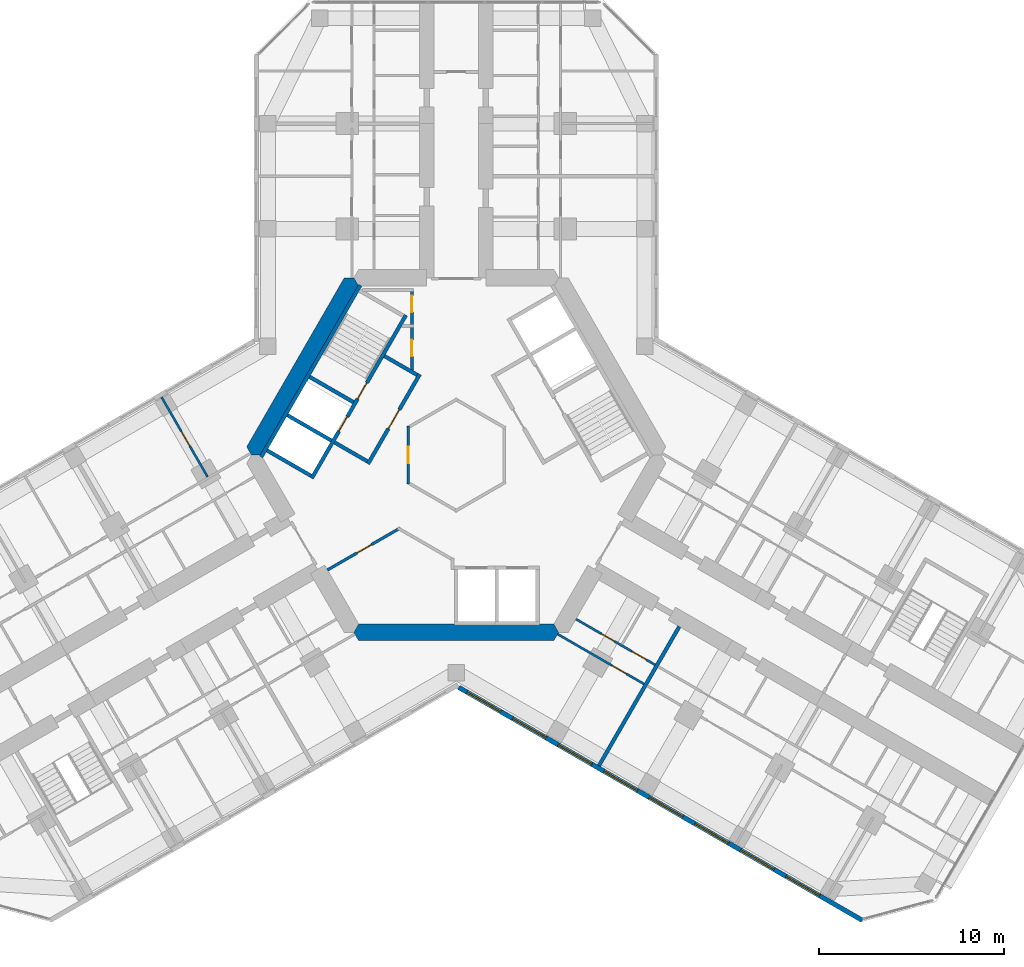
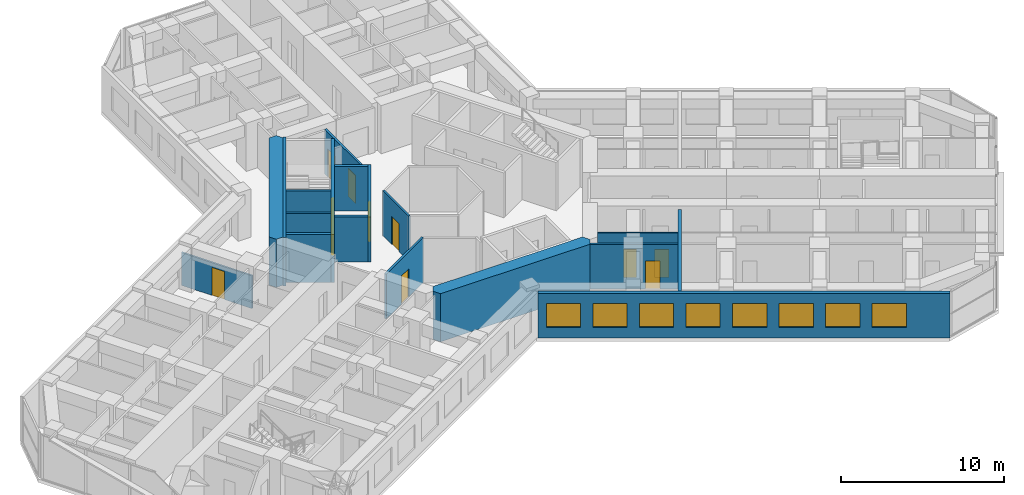
# One storey, part 13 of 19: 18 walls, 11 doors, 8 windows, 19 openings.
"""IFC4 building model written with IfcOpenShell, lengths in metres."""

from ifc_helpers import new_model, si_unit, direction, frame, frame_2d, origin, place, context, subcontext, project, spatial, polyline, rectangle, outline, extrude, material, layer, layer_set, type_object, element, fill, save


model = new_model("IFC4")

# Units and contexts
model_context = context("Model", 3, precision=1e-05, world=origin(), true_north=direction((0.0, 1.0)))
body_context = subcontext(model_context, "Body", "Model", "MODEL_VIEW")
ifc_project = project(units=[si_unit("LENGTHUNIT", "METRE"), si_unit("AREAUNIT", "SQUARE_METRE"), si_unit("VOLUMEUNIT", "CUBIC_METRE"), si_unit("PLANEANGLEUNIT", "RADIAN"), si_unit("MASSUNIT", "GRAM", prefix="KILO")], contexts=[model_context])

# Site, building, storey
site_placement = place(None, origin())
site = spatial("IfcSite", under=ifc_project, at=site_placement, CompositionType="ELEMENT")
building_placement = place(site_placement, origin())
building = spatial("IfcBuilding", under=site, at=building_placement, Name="Kosmar Iwan School Tower", CompositionType="ELEMENT")
storey_placement = place(building_placement, frame((0.0, 0.0, 141.800048828125)))
storey = spatial("IfcBuildingStorey", under=building, at=storey_placement, Name="L35", CompositionType="ELEMENT", Elevation=141.800048828125)

# Wall, openings, doors
ifc_material_1 = material(Name="Gypsum board on steel studs, fire-rated", Category="steel")
ifc_layer_1 = layer(ifc_material_1, 0.14990234375)
ifc_layer_set_1 = layer_set([ifc_layer_1], Name="Core room partition 150")
wall_type_1 = type_object("IfcWallType", Name="Core room partition 150", PredefinedType="PARTITIONING", material=ifc_layer_set_1)
wall_1_placement = place(storey_placement, frame((-2.39990234375, 9.014892578125, 0.0), z_axis=(0.0, 0.0, 1.0), x_axis=(0.0, -1.0, 0.0)))
wall_1 = element("IfcWall", 1, at=wall_1_placement, inside=storey, type_object=wall_type_1, Name="Core room partition L35-CW1", PredefinedType="PARTITIONING", context=body_context, shape_type="SweptSolid", body=[
    extrude(rectangle(XDim=4.484130859375, YDim=0.14990234375, at=frame_2d((2.2421875, 0.0))), origin(), (0.0, 0.0, 1.0), 3.349853515625),
])
opening_1_placement = place(wall_1_placement, frame((0.375, 0.0, 0.0)))
opening_1 = element("IfcOpeningElement", 2, at=opening_1_placement, cuts=wall_1, Name="Opening D14", PredefinedType="OPENING", context=body_context, shape_type="SweptSolid", body=[
    extrude(rectangle(XDim=0.89990234375, YDim=2.10009765625, at=frame_2d((0.449951171875, 1.050048828125))), frame((0.0, 0.0869140625, 0.0), z_axis=(0.0, -1.0, 0.0), x_axis=(1.0, 0.0, 0.0)), (0.0, 0.0, 1.0), 0.173828125),
])
opening_2_placement = place(wall_1_placement, frame((2.77490234375, 0.0, 0.0)))
opening_2 = element("IfcOpeningElement", 3, at=opening_2_placement, cuts=wall_1, Name="Opening D14", PredefinedType="OPENING", context=body_context, shape_type="SweptSolid", body=[
    extrude(rectangle(XDim=0.89990234375, YDim=2.10009765625, at=frame_2d((0.449951171875, 1.050048828125))), frame((0.0, 0.0869140625, 0.0), z_axis=(0.0, -1.0, 0.0), x_axis=(1.0, 0.0, 0.0)), (0.0, 0.0, 1.0), 0.173828125),
])
ifc_material_2 = material(Name="Timber fire door in steel frame", Category="steel")
door_type_1 = type_object("IfcDoorType", Name="Core room door 900x2100", OperationType="SINGLE_SWING_LEFT", PredefinedType="DOOR", material=ifc_material_2)
door_1_placement = place(opening_1_placement, origin())
door_1 = element("IfcDoor", 4, at=door_1_placement, inside=storey, type_object=door_type_1, Name="Electrical riser and switch room door L35 1", OperationType="SINGLE_SWING_LEFT", OverallHeight=2.10009765625, OverallWidth=0.89990234375, PredefinedType="DOOR", context=body_context, shape_type="SweptSolid", body=[
    extrude(rectangle(XDim=0.89990234375, YDim=2.10009765625, at=frame_2d((0.449951171875, 1.050048828125))), frame((0.0, 0.02490234375, 0.0), z_axis=(0.0, -1.0, 0.0), x_axis=(1.0, 0.0, 0.0)), (0.0, 0.0, 1.0), 0.050048828125),
])
fill(opening_1, door_1)
door_2_placement = place(opening_2_placement, origin())
door_2 = element("IfcDoor", 5, at=door_2_placement, inside=storey, type_object=door_type_1, Name="Plumbing and wet riser door L35 2", OperationType="SINGLE_SWING_RIGHT", OverallHeight=2.10009765625, OverallWidth=0.89990234375, PredefinedType="DOOR", context=body_context, shape_type="SweptSolid", body=[
    extrude(rectangle(XDim=0.89990234375, YDim=2.10009765625, at=frame_2d((0.449951171875, 1.050048828125))), frame((0.0, 0.02490234375, 0.0), z_axis=(0.0, -1.0, 0.0), x_axis=(1.0, 0.0, 0.0)), (0.0, 0.0, 1.0), 0.050048828125),
])
fill(opening_2, door_2)

# Wall, opening, door
wall_2_placement = place(storey_placement, frame((-6.978515625, -6.222900390625, 0.0), z_axis=(0.0, 0.0, 1.0), x_axis=(0.866033797781, 0.49998546089, 0.0)))
wall_2 = element("IfcWall", 6, at=wall_2_placement, inside=storey, type_object=wall_type_1, Name="Core room partition L35-CW5", PredefinedType="PARTITIONING", context=body_context, shape_type="SweptSolid", body=[
    extrude(rectangle(XDim=4.553466796875, YDim=0.14990234375, at=frame_2d((2.27685546875, 0.0))), origin(), (0.0, 0.0, 1.0), 3.349853515625),
])
opening_3_placement = place(wall_2_placement, frame((1.846923828125, 0.0, 0.0)))
opening_3 = element("IfcOpeningElement", 7, at=opening_3_placement, cuts=wall_2, Name="Opening D14", PredefinedType="OPENING", context=body_context, shape_type="SweptSolid", body=[
    extrude(rectangle(XDim=0.89990234375, YDim=2.10009765625, at=frame_2d((0.449951171875, 1.050048828125))), frame((0.0, 0.0869140625, 0.0), z_axis=(0.0, -1.0, 0.0), x_axis=(1.0, 0.0, 0.0)), (0.0, 0.0, 1.0), 0.173828125),
])
door_3_placement = place(opening_3_placement, origin())
door_3 = element("IfcDoor", 8, at=door_3_placement, inside=storey, type_object=door_type_1, Name="Bulky waste store door L35 3", OperationType="SINGLE_SWING_LEFT", OverallHeight=2.10009765625, OverallWidth=0.89990234375, PredefinedType="DOOR", context=body_context, shape_type="SweptSolid", body=[
    extrude(rectangle(XDim=0.89990234375, YDim=2.10009765625, at=frame_2d((0.449951171875, 1.050048828125))), frame((0.0, 0.02490234375, 0.0), z_axis=(0.0, -1.0, 0.0), x_axis=(1.0, 0.0, 0.0)), (0.0, 0.0, 1.0), 0.050048828125),
])
fill(opening_3, door_3)

wall_3_placement = place(storey_placement, frame((-2.60009765625, -1.576171875, 0.0), z_axis=(0.0, 0.0, 1.0), x_axis=(0.0, 1.0, 0.0)))
wall_3 = element("IfcWall", 9, at=wall_3_placement, inside=storey, type_object=wall_type_1, Name="Core room partition L35-CW10", PredefinedType="PARTITIONING", context=body_context, shape_type="SweptSolid", body=[
    extrude(rectangle(XDim=3.15234375, YDim=0.14990234375, at=frame_2d((1.576171875, 0.0))), origin(), (0.0, 0.0, 1.0), 3.349853515625),
])
opening_4_placement = place(wall_3_placement, frame((1.1259765625, 0.0, 0.0)))
opening_4 = element("IfcOpeningElement", 10, at=opening_4_placement, cuts=wall_3, Name="Opening D14", PredefinedType="OPENING", context=body_context, shape_type="SweptSolid", body=[
    extrude(rectangle(XDim=0.89990234375, YDim=2.10009765625, at=frame_2d((0.449951171875, 1.050048828125))), frame((0.0, 0.0869140625, 0.0), z_axis=(0.0, -1.0, 0.0), x_axis=(1.0, 0.0, 0.0)), (0.0, 0.0, 1.0), 0.173828125),
])
door_4_placement = place(opening_4_placement, origin())
door_4 = element("IfcDoor", 11, at=door_4_placement, inside=storey, type_object=door_type_1, Name="Parcel room door L35 4", OperationType="SINGLE_SWING_RIGHT", OverallHeight=2.10009765625, OverallWidth=0.89990234375, PredefinedType="DOOR", context=body_context, shape_type="SweptSolid", body=[
    extrude(rectangle(XDim=0.89990234375, YDim=2.10009765625, at=frame_2d((0.449951171875, 1.050048828125))), frame((0.0, 0.02490234375, 0.0), z_axis=(0.0, -1.0, 0.0), x_axis=(1.0, 0.0, 0.0)), (0.0, 0.0, 1.0), 0.050048828125),
])
fill(opening_4, door_4)

# Walls
ifc_material_3 = material(Name="Concrete C50/60", Category="concrete")
ifc_layer_2 = layer(ifc_material_3, 0.89990234375)
ifc_layer_set_2 = layer_set([ifc_layer_2], Name="Core wall 900")
wall_type_2 = type_object("IfcWallType", Name="Core wall 900", PredefinedType="SHEAR", material=ifc_layer_set_2)
wall_4_placement = place(storey_placement, origin())
element("IfcWall", 12, at=wall_4_placement, inside=storey, type_object=wall_type_2, Name="Core wall F150", PredefinedType="SHEAR", context=body_context, shape_type="SweptSolid", body=[
    extrude(outline(polyline([(-11.085205078125, 0.0), (-10.5654296875, 0.0), (-5.28271484375, 9.14990234375), (-5.54248046875, 9.60009765625), (-6.062255859375, 9.60009765625), (-11.344970703125, 0.449951171875), (-11.085205078125, 0.0)])), origin(), (0.0, 0.0, 1.0), 3.599853515625),
])
wall_5_placement = place(storey_placement, origin())
element("IfcWall", 13, at=wall_5_placement, inside=storey, type_object=wall_type_2, Name="Core wall F270", PredefinedType="SHEAR", context=body_context, shape_type="SweptSolid", body=[
    extrude(outline(polyline([(-5.28271484375, -10.050048828125), (5.28271484375, -10.050048828125), (5.54248046875, -9.60009765625), (5.28271484375, -9.14990234375), (-5.28271484375, -9.14990234375), (-5.54248046875, -9.60009765625), (-5.28271484375, -10.050048828125)])), origin(), (0.0, 0.0, 1.0), 3.599853515625),
])

# Wall, opening, door
ifc_material_4 = material(Name="Gypsum board on steel studs", Category="steel")
ifc_layer_3 = layer(ifc_material_4, 0.1201171875)
ifc_layer_set_3 = layer_set([ifc_layer_3], Name="Dwelling partition 120")
wall_type_3 = type_object("IfcWallType", Name="Dwelling partition 120", PredefinedType="PARTITIONING", material=ifc_layer_set_3)
wall_6_placement = place(storey_placement, frame((-13.4638671875, -1.179931640625, 0.0), z_axis=(0.0, 0.0, 1.0), x_axis=(-0.499975153383, 0.86603974851, 0.0)))
wall_6 = element("IfcWall", 14, at=wall_6_placement, inside=storey, type_object=wall_type_3, Name="Partition L35-BR1-X1", PredefinedType="PARTITIONING", context=body_context, shape_type="SweptSolid", body=[
    extrude(rectangle(XDim=4.989990234375, YDim=0.1201171875, at=frame_2d((2.4951171875, 0.0))), origin(), (0.0, 0.0, 1.0), 2.449951171875),
])
opening_5_placement = place(wall_6_placement, frame((1.93994140625, 0.0, 0.0)))
opening_5 = element("IfcOpeningElement", 15, at=opening_5_placement, cuts=wall_6, Name="Opening D2", PredefinedType="OPENING", context=body_context, shape_type="SweptSolid", body=[
    extrude(rectangle(XDim=0.89990234375, YDim=2.10009765625, at=frame_2d((0.449951171875, 1.050048828125))), frame((0.0, 0.072021484375, 0.0), z_axis=(0.0, -1.0, 0.0), x_axis=(1.0, 0.0, 0.0)), (0.0, 0.0, 1.0), 0.14404296875),
])
ifc_material_5 = material(Name="Timber door in timber frame", Category="wood")
door_type_2 = type_object("IfcDoorType", Name="Internal door 900x2100", OperationType="SINGLE_SWING_LEFT", PredefinedType="DOOR", material=ifc_material_5)
door_5_placement = place(opening_5_placement, origin())
door_5 = element("IfcDoor", 16, at=door_5_placement, inside=storey, type_object=door_type_2, Name="Kitchen and dining room door L35-BR1-F1", OperationType="SINGLE_SWING_LEFT", OverallHeight=2.10009765625, OverallWidth=0.89990234375, PredefinedType="DOOR", context=body_context, shape_type="SweptSolid", body=[
    extrude(rectangle(XDim=0.89990234375, YDim=2.10009765625, at=frame_2d((0.449951171875, 1.050048828125))), frame((0.0, 0.02490234375, 0.0), z_axis=(0.0, -1.0, 0.0), x_axis=(1.0, 0.0, 0.0)), (0.0, 0.0, 1.0), 0.050048828125),
])
fill(opening_5, door_5)

# Wall, openings, doors
wall_7_placement = place(storey_placement, frame((6.478515625, -8.87890625, 0.0), z_axis=(0.0, 0.0, 1.0), x_axis=(0.866040211805, -0.499974350878, 0.0)))
wall_7 = element("IfcWall", 17, at=wall_7_placement, inside=storey, type_object=wall_type_3, Name="Partition L35-CR1-W1", PredefinedType="PARTITIONING", context=body_context, shape_type="SweptSolid", body=[
    extrude(rectangle(XDim=4.949951171875, YDim=0.1201171875, at=frame_2d((2.47509765625, 0.0))), origin(), (0.0, 0.0, 1.0), 3.349853515625),
])
opening_6_placement = place(wall_7_placement, frame((1.60009765625, 0.0, 0.0)))
opening_6 = element("IfcOpeningElement", 18, at=opening_6_placement, cuts=wall_7, Name="Opening D3", PredefinedType="OPENING", context=body_context, shape_type="SweptSolid", body=[
    extrude(rectangle(XDim=0.800048828125, YDim=2.10009765625, at=frame_2d((0.39990234375, 1.050048828125))), frame((0.0, 0.072021484375, 0.0), z_axis=(0.0, -1.0, 0.0), x_axis=(1.0, 0.0, 0.0)), (0.0, 0.0, 1.0), 0.14404296875),
])
opening_7_placement = place(wall_7_placement, frame((3.5, 0.0, 0.0)))
opening_7 = element("IfcOpeningElement", 19, at=opening_7_placement, cuts=wall_7, Name="Opening D2", PredefinedType="OPENING", context=body_context, shape_type="SweptSolid", body=[
    extrude(rectangle(XDim=0.89990234375, YDim=2.10009765625, at=frame_2d((0.449951171875, 1.050048828125))), frame((0.0, 0.072021484375, 0.0), z_axis=(0.0, -1.0, 0.0), x_axis=(1.0, 0.0, 0.0)), (0.0, 0.0, 1.0), 0.14404296875),
])
door_6_placement = place(opening_7_placement, origin())
door_6 = element("IfcDoor", 20, at=door_6_placement, inside=storey, type_object=door_type_2, Name="Entrance hall door L35-CR1-S2", OperationType="SINGLE_SWING_RIGHT", OverallHeight=2.10009765625, OverallWidth=0.89990234375, PredefinedType="DOOR", context=body_context, shape_type="SweptSolid", body=[
    extrude(rectangle(XDim=0.89990234375, YDim=2.10009765625, at=frame_2d((0.449951171875, 1.050048828125))), frame((0.0, 0.02490234375, 0.0), z_axis=(0.0, -1.0, 0.0), x_axis=(1.0, 0.0, 0.0)), (0.0, 0.0, 1.0), 0.050048828125),
])
fill(opening_7, door_6)
ifc_material_6 = material(Name="Timber door in timber frame", Category="wood")
door_type_3 = type_object("IfcDoorType", Name="Sanitary room door 800x2100", OperationType="SINGLE_SWING_LEFT", PredefinedType="DOOR", material=ifc_material_6)
door_7_placement = place(opening_6_placement, origin())
door_7 = element("IfcDoor", 21, at=door_7_placement, inside=storey, type_object=door_type_3, Name="Bathroom door L35-CR1-S1", OperationType="SINGLE_SWING_RIGHT", OverallHeight=2.10009765625, OverallWidth=0.800048828125, PredefinedType="DOOR", context=body_context, shape_type="SweptSolid", body=[
    extrude(rectangle(XDim=0.800048828125, YDim=2.10009765625, at=frame_2d((0.39990234375, 1.050048828125))), frame((0.0, 0.02490234375, 0.0), z_axis=(0.0, -1.0, 0.0), x_axis=(1.0, 0.0, 0.0)), (0.0, 0.0, 1.0), 0.050048828125),
])
fill(opening_6, door_7)

# Wall, opening, door
wall_8_placement = place(storey_placement, frame((5.48876953125, -9.693115234375, 0.0), z_axis=(0.0, 0.0, 1.0), x_axis=(0.866028230842, -0.499995103361, 0.0)))
wall_8 = element("IfcWall", 22, at=wall_8_placement, inside=storey, type_object=wall_type_3, Name="Partition L35-CR1-W2", PredefinedType="PARTITIONING", context=body_context, shape_type="SweptSolid", body=[
    extrude(rectangle(XDim=5.39990234375, YDim=0.1201171875, at=frame_2d((2.699951171875, 0.0))), origin(), (0.0, 0.0, 1.0), 3.349853515625),
])
opening_8_placement = place(wall_8_placement, frame((3.39990234375, 0.0, 0.0)))
opening_8 = element("IfcOpeningElement", 23, at=opening_8_placement, cuts=wall_8, Name="Opening D2", PredefinedType="OPENING", context=body_context, shape_type="SweptSolid", body=[
    extrude(rectangle(XDim=0.89990234375, YDim=2.10009765625, at=frame_2d((0.449951171875, 1.050048828125))), frame((0.0, 0.072021484375, 0.0), z_axis=(0.0, -1.0, 0.0), x_axis=(1.0, 0.0, 0.0)), (0.0, 0.0, 1.0), 0.14404296875),
])
door_8_placement = place(opening_8_placement, origin())
door_8 = element("IfcDoor", 24, at=door_8_placement, inside=storey, type_object=door_type_2, Name="Studio living room and kitchen door L35-CR1-F1", OperationType="SINGLE_SWING_RIGHT", OverallHeight=2.10009765625, OverallWidth=0.89990234375, PredefinedType="DOOR", context=body_context, shape_type="SweptSolid", body=[
    extrude(rectangle(XDim=0.89990234375, YDim=2.10009765625, at=frame_2d((0.449951171875, 1.050048828125))), frame((0.0, 0.02490234375, 0.0), z_axis=(0.0, -1.0, 0.0), x_axis=(1.0, 0.0, 0.0)), (0.0, 0.0, 1.0), 0.050048828125),
])
fill(opening_8, door_8)

# Wall, openings, windows
ifc_material_7 = material(Name="Black aluminium rainscreen on insulated framing", Category="aluminium")
ifc_layer_4 = layer(ifc_material_7, 0.25)
ifc_layer_set_4 = layer_set([ifc_layer_4], Name="External wall rainscreen 250")
wall_type_4 = type_object("IfcWallType", Name="External wall rainscreen 250", PredefinedType="SOLIDWALL", material=ifc_layer_set_4)
wall_9_placement = place(storey_placement, frame((0.137939453125, -12.5791015625, 0.0), z_axis=(0.0, 0.0, 1.0), x_axis=(0.866023775649, -0.500002820003, 0.0)))
wall_9 = element("IfcWall", 25, at=wall_9_placement, inside=storey, type_object=wall_type_4, Name="External wall CR L35", PredefinedType="SOLIDWALL", context=body_context, shape_type="SweptSolid", body=[
    extrude(rectangle(XDim=25.226318359375, YDim=0.25, at=frame_2d((12.61328125, 0.0))), origin(), (0.0, 0.0, 1.0), 3.349853515625),
])
opening_9_placement = place(wall_9_placement, frame((0.51611328125, 0.0, 0.800048828125)))
opening_9 = element("IfcOpeningElement", 26, at=opening_9_placement, cuts=wall_9, Name="Opening W4", PredefinedType="OPENING", context=body_context, shape_type="SweptSolid", body=[
    extrude(rectangle(XDim=2.10009765625, YDim=1.800048828125, at=frame_2d((1.050048828125, 0.89990234375))), frame((0.0, 0.136962890625, 0.0), z_axis=(0.0, -1.0, 0.0), x_axis=(1.0, 0.0, 0.0)), (0.0, 0.0, 1.0), 0.27392578125),
])
opening_10_placement = place(wall_9_placement, frame((3.365966796875, 0.0, 0.800048828125)))
opening_10 = element("IfcOpeningElement", 27, at=opening_10_placement, cuts=wall_9, Name="Opening W4", PredefinedType="OPENING", context=body_context, shape_type="SweptSolid", body=[
    extrude(rectangle(XDim=2.10009765625, YDim=1.800048828125, at=frame_2d((1.050048828125, 0.89990234375))), frame((0.0, 0.136962890625, 0.0), z_axis=(0.0, -1.0, 0.0), x_axis=(1.0, 0.0, 0.0)), (0.0, 0.0, 1.0), 0.27392578125),
])
opening_11_placement = place(wall_9_placement, frame((6.216064453125, 0.0, 0.800048828125)))
opening_11 = element("IfcOpeningElement", 28, at=opening_11_placement, cuts=wall_9, Name="Opening W4", PredefinedType="OPENING", context=body_context, shape_type="SweptSolid", body=[
    extrude(rectangle(XDim=2.10009765625, YDim=1.800048828125, at=frame_2d((1.050048828125, 0.89990234375))), frame((0.0, 0.136962890625, 0.0), z_axis=(0.0, -1.0, 0.0), x_axis=(1.0, 0.0, 0.0)), (0.0, 0.0, 1.0), 0.27392578125),
])
opening_12_placement = place(wall_9_placement, frame((9.06591796875, 0.0, 0.800048828125)))
opening_12 = element("IfcOpeningElement", 29, at=opening_12_placement, cuts=wall_9, Name="Opening W4", PredefinedType="OPENING", context=body_context, shape_type="SweptSolid", body=[
    extrude(rectangle(XDim=2.10009765625, YDim=1.800048828125, at=frame_2d((1.050048828125, 0.89990234375))), frame((0.0, 0.136962890625, 0.0), z_axis=(0.0, -1.0, 0.0), x_axis=(1.0, 0.0, 0.0)), (0.0, 0.0, 1.0), 0.27392578125),
])
opening_13_placement = place(wall_9_placement, frame((11.916015625, 0.0, 0.800048828125)))
opening_13 = element("IfcOpeningElement", 30, at=opening_13_placement, cuts=wall_9, Name="Opening W4", PredefinedType="OPENING", context=body_context, shape_type="SweptSolid", body=[
    extrude(rectangle(XDim=2.10009765625, YDim=1.800048828125, at=frame_2d((1.050048828125, 0.89990234375))), frame((0.0, 0.136962890625, 0.0), z_axis=(0.0, -1.0, 0.0), x_axis=(1.0, 0.0, 0.0)), (0.0, 0.0, 1.0), 0.27392578125),
])
opening_14_placement = place(wall_9_placement, frame((14.76611328125, 0.0, 0.800048828125)))
opening_14 = element("IfcOpeningElement", 31, at=opening_14_placement, cuts=wall_9, Name="Opening W4", PredefinedType="OPENING", context=body_context, shape_type="SweptSolid", body=[
    extrude(rectangle(XDim=2.10009765625, YDim=1.800048828125, at=frame_2d((1.050048828125, 0.89990234375))), frame((0.0, 0.136962890625, 0.0), z_axis=(0.0, -1.0, 0.0), x_axis=(1.0, 0.0, 0.0)), (0.0, 0.0, 1.0), 0.27392578125),
])
opening_15_placement = place(wall_9_placement, frame((17.615966796875, 0.0, 0.800048828125)))
opening_15 = element("IfcOpeningElement", 32, at=opening_15_placement, cuts=wall_9, Name="Opening W4", PredefinedType="OPENING", context=body_context, shape_type="SweptSolid", body=[
    extrude(rectangle(XDim=2.10009765625, YDim=1.800048828125, at=frame_2d((1.050048828125, 0.89990234375))), frame((0.0, 0.136962890625, 0.0), z_axis=(0.0, -1.0, 0.0), x_axis=(1.0, 0.0, 0.0)), (0.0, 0.0, 1.0), 0.27392578125),
])
opening_16_placement = place(wall_9_placement, frame((20.466064453125, 0.0, 0.800048828125)))
opening_16 = element("IfcOpeningElement", 33, at=opening_16_placement, cuts=wall_9, Name="Opening W4", PredefinedType="OPENING", context=body_context, shape_type="SweptSolid", body=[
    extrude(rectangle(XDim=2.10009765625, YDim=1.800048828125, at=frame_2d((1.050048828125, 0.89990234375))), frame((0.0, 0.136962890625, 0.0), z_axis=(0.0, -1.0, 0.0), x_axis=(1.0, 0.0, 0.0)), (0.0, 0.0, 1.0), 0.27392578125),
])
ifc_material_8 = material(Name="Black aluminium frame with dark triple glazing", Category="aluminium")
window_type = type_object("IfcWindowType", Name="Window 2100x1800", PartitioningType="SINGLE_PANEL", PredefinedType="WINDOW", material=ifc_material_8)
window_1_placement = place(opening_9_placement, origin())
window_1 = element("IfcWindow", 34, at=window_1_placement, inside=storey, type_object=window_type, Name="Window CR L35 -1", OverallHeight=1.800048828125, OverallWidth=2.10009765625, PartitioningType="SINGLE_PANEL", PredefinedType="WINDOW", context=body_context, shape_type="SweptSolid", body=[
    extrude(rectangle(XDim=2.10009765625, YDim=1.800048828125, at=frame_2d((1.050048828125, 0.89990234375))), frame((0.0, 0.030029296875, 0.0), z_axis=(0.0, -1.0, 0.0), x_axis=(1.0, 0.0, 0.0)), (0.0, 0.0, 1.0), 0.06005859375),
])
fill(opening_9, window_1)
window_2_placement = place(opening_10_placement, origin())
window_2 = element("IfcWindow", 35, at=window_2_placement, inside=storey, type_object=window_type, Name="Window CR L35 0", OverallHeight=1.800048828125, OverallWidth=2.10009765625, PartitioningType="SINGLE_PANEL", PredefinedType="WINDOW", context=body_context, shape_type="SweptSolid", body=[
    extrude(rectangle(XDim=2.10009765625, YDim=1.800048828125, at=frame_2d((1.050048828125, 0.89990234375))), frame((0.0, 0.030029296875, 0.0), z_axis=(0.0, -1.0, 0.0), x_axis=(1.0, 0.0, 0.0)), (0.0, 0.0, 1.0), 0.06005859375),
])
fill(opening_10, window_2)
window_3_placement = place(opening_11_placement, origin())
window_3 = element("IfcWindow", 36, at=window_3_placement, inside=storey, type_object=window_type, Name="Window CR L35 1", OverallHeight=1.800048828125, OverallWidth=2.10009765625, PartitioningType="SINGLE_PANEL", PredefinedType="WINDOW", context=body_context, shape_type="SweptSolid", body=[
    extrude(rectangle(XDim=2.10009765625, YDim=1.800048828125, at=frame_2d((1.050048828125, 0.89990234375))), frame((0.0, 0.030029296875, 0.0), z_axis=(0.0, -1.0, 0.0), x_axis=(1.0, 0.0, 0.0)), (0.0, 0.0, 1.0), 0.06005859375),
])
fill(opening_11, window_3)
window_4_placement = place(opening_12_placement, origin())
window_4 = element("IfcWindow", 37, at=window_4_placement, inside=storey, type_object=window_type, Name="Window CR L35 2", OverallHeight=1.800048828125, OverallWidth=2.10009765625, PartitioningType="SINGLE_PANEL", PredefinedType="WINDOW", context=body_context, shape_type="SweptSolid", body=[
    extrude(rectangle(XDim=2.10009765625, YDim=1.800048828125, at=frame_2d((1.050048828125, 0.89990234375))), frame((0.0, 0.030029296875, 0.0), z_axis=(0.0, -1.0, 0.0), x_axis=(1.0, 0.0, 0.0)), (0.0, 0.0, 1.0), 0.06005859375),
])
fill(opening_12, window_4)
window_5_placement = place(opening_13_placement, origin())
window_5 = element("IfcWindow", 38, at=window_5_placement, inside=storey, type_object=window_type, Name="Window CR L35 3", OverallHeight=1.800048828125, OverallWidth=2.10009765625, PartitioningType="SINGLE_PANEL", PredefinedType="WINDOW", context=body_context, shape_type="SweptSolid", body=[
    extrude(rectangle(XDim=2.10009765625, YDim=1.800048828125, at=frame_2d((1.050048828125, 0.89990234375))), frame((0.0, 0.030029296875, 0.0), z_axis=(0.0, -1.0, 0.0), x_axis=(1.0, 0.0, 0.0)), (0.0, 0.0, 1.0), 0.06005859375),
])
fill(opening_13, window_5)
window_6_placement = place(opening_14_placement, origin())
window_6 = element("IfcWindow", 39, at=window_6_placement, inside=storey, type_object=window_type, Name="Window CR L35 4", OverallHeight=1.800048828125, OverallWidth=2.10009765625, PartitioningType="SINGLE_PANEL", PredefinedType="WINDOW", context=body_context, shape_type="SweptSolid", body=[
    extrude(rectangle(XDim=2.10009765625, YDim=1.800048828125, at=frame_2d((1.050048828125, 0.89990234375))), frame((0.0, 0.030029296875, 0.0), z_axis=(0.0, -1.0, 0.0), x_axis=(1.0, 0.0, 0.0)), (0.0, 0.0, 1.0), 0.06005859375),
])
fill(opening_14, window_6)
window_7_placement = place(opening_15_placement, origin())
window_7 = element("IfcWindow", 40, at=window_7_placement, inside=storey, type_object=window_type, Name="Window CR L35 5", OverallHeight=1.800048828125, OverallWidth=2.10009765625, PartitioningType="SINGLE_PANEL", PredefinedType="WINDOW", context=body_context, shape_type="SweptSolid", body=[
    extrude(rectangle(XDim=2.10009765625, YDim=1.800048828125, at=frame_2d((1.050048828125, 0.89990234375))), frame((0.0, 0.030029296875, 0.0), z_axis=(0.0, -1.0, 0.0), x_axis=(1.0, 0.0, 0.0)), (0.0, 0.0, 1.0), 0.06005859375),
])
fill(opening_15, window_7)
window_8_placement = place(opening_16_placement, origin())
window_8 = element("IfcWindow", 41, at=window_8_placement, inside=storey, type_object=window_type, Name="Window CR L35 6", OverallHeight=1.800048828125, OverallWidth=2.10009765625, PartitioningType="SINGLE_PANEL", PredefinedType="WINDOW", context=body_context, shape_type="SweptSolid", body=[
    extrude(rectangle(XDim=2.10009765625, YDim=1.800048828125, at=frame_2d((1.050048828125, 0.89990234375))), frame((0.0, 0.030029296875, 0.0), z_axis=(0.0, -1.0, 0.0), x_axis=(1.0, 0.0, 0.0)), (0.0, 0.0, 1.0), 0.06005859375),
])
fill(opening_16, window_8)

# Wall, opening, door
ifc_material_9 = material(Name="Concrete block masonry", Category="masonry")
ifc_layer_5 = layer(ifc_material_9, 0.199951171875)
ifc_layer_set_5 = layer_set([ifc_layer_5], Name="Fire lobby wall 200")
wall_type_5 = type_object("IfcWallType", Name="Fire lobby wall 200", PredefinedType="PARTITIONING", material=ifc_layer_set_5)
wall_10_placement = place(storey_placement, frame((-1.9775390625, 4.374755859375, 0.0), z_axis=(0.0, 0.0, 1.0), x_axis=(-0.500016814911, -0.866015695474, 0.0)))
wall_10 = element("IfcWall", 42, at=wall_10_placement, inside=storey, type_object=wall_type_5, Name="Firefighting lobby wall ST2", PredefinedType="PARTITIONING", context=body_context, shape_type="SweptSolid", body=[
    extrude(rectangle(XDim=5.599853515625, YDim=0.199951171875, at=frame_2d((2.7998046875, 0.0))), origin(), (0.0, 0.0, 1.0), 3.349853515625),
])
opening_17_placement = place(wall_10_placement, frame((2.199951171875, 0.0, 0.0)))
opening_17 = element("IfcOpeningElement", 43, at=opening_17_placement, cuts=wall_10, Name="Opening D7", PredefinedType="OPENING", context=body_context, shape_type="SweptSolid", body=[
    extrude(rectangle(XDim=1.199951171875, YDim=2.10009765625, at=frame_2d((0.60009765625, 1.050048828125))), frame((0.0, 0.112060546875, 0.0), z_axis=(0.0, -1.0, 0.0), x_axis=(1.0, 0.0, 0.0)), (0.0, 0.0, 1.0), 0.223876953125),
])
ifc_material_10 = material(Name="Steel fire door", Category="steel")
door_type_4 = type_object("IfcDoorType", Name="Fire lobby door 1200x2100", OperationType="SINGLE_SWING_LEFT", PredefinedType="DOOR", material=ifc_material_10)
door_9_placement = place(opening_17_placement, frame((1.199951171875, 0.0, 0.0), z_axis=(0.0, 0.0, 1.0), x_axis=(-1.0, 0.0, 0.0)))
door_9 = element("IfcDoor", 44, at=door_9_placement, inside=storey, type_object=door_type_4, Name="Firefighting lobby door ST2 L35", OperationType="SINGLE_SWING_RIGHT", OverallHeight=2.10009765625, OverallWidth=1.199951171875, PredefinedType="DOOR", context=body_context, shape_type="SweptSolid", body=[
    extrude(rectangle(XDim=1.199951171875, YDim=2.10009765625, at=frame_2d((0.60009765625, 1.050048828125))), frame((0.0, 0.02490234375, 0.0), z_axis=(0.0, -1.0, 0.0), x_axis=(1.0, 0.0, 0.0)), (0.0, 0.0, 1.0), 0.050048828125),
])
fill(opening_17, door_9)

# Walls
wall_11_placement = place(storey_placement, frame((-2.114013671875, 4.33837890625, 0.0), z_axis=(0.0, 0.0, 1.0), x_axis=(-0.866050731258, 0.499956128963, 0.0)))
element("IfcWall", 45, at=wall_11_placement, inside=storey, type_object=wall_type_5, Name="Firefighting lobby wall ST2", PredefinedType="PARTITIONING", context=body_context, shape_type="SweptSolid", body=[
    extrude(rectangle(XDim=2.050048828125, YDim=0.199951171875, at=frame_2d((1.02490234375, 0.0))), origin(), (0.0, 0.0, 1.0), 3.349853515625),
])
wall_12_placement = place(storey_placement, frame((-4.814208984375, -0.33837890625, 0.0), z_axis=(0.0, 0.0, 1.0), x_axis=(-0.865969381856, 0.500097020274, 0.0)))
element("IfcWall", 46, at=wall_12_placement, inside=storey, type_object=wall_type_5, Name="Firefighting lobby wall ST2", PredefinedType="PARTITIONING", context=body_context, shape_type="SweptSolid", body=[
    extrude(rectangle(XDim=2.0498046875, YDim=0.199951171875, at=frame_2d((1.02490234375, 0.0))), origin(), (0.0, 0.0, 1.0), 3.349853515625),
])

# Wall, openings, doors
ifc_material_11 = material(Name="Concrete C50/60", Category="concrete")
ifc_layer_6 = layer(ifc_material_11, 0.199951171875)
ifc_layer_set_6 = layer_set([ifc_layer_6], Name="Lift shaft wall 200")
wall_type_6 = type_object("IfcWallType", Name="Lift shaft wall 200", PredefinedType="SHEAR", material=ifc_layer_set_6)
wall_13_placement = place(storey_placement, frame((-2.72607421875, 7.578369140625, 0.0), z_axis=(0.0, 0.0, 1.0), x_axis=(-0.500005610874, -0.86602216432, 0.0)))
wall_13 = element("IfcWall", 47, at=wall_13_placement, inside=storey, type_object=wall_type_6, Name="Lift and stair front wall AB", PredefinedType="SHEAR", context=body_context, shape_type="SweptSolid", body=[
    extrude(rectangle(XDim=10.2001953125, YDim=0.199951171875, at=frame_2d((5.10009765625, 0.0))), origin(), (0.0, 0.0, 1.0), 3.599853515625),
])
opening_18_placement = place(wall_13_placement, frame((6.35009765625, 0.0, 0.0)))
opening_18 = element("IfcOpeningElement", 48, at=opening_18_placement, cuts=wall_13, Name="Opening LD2", PredefinedType="OPENING", context=body_context, shape_type="SweptSolid", body=[
    extrude(rectangle(XDim=0.89990234375, YDim=2.10009765625, at=frame_2d((0.449951171875, 1.050048828125))), frame((0.0, 0.112060546875, 0.0), z_axis=(0.0, -1.0, 0.0), x_axis=(1.0, 0.0, 0.0)), (0.0, 0.0, 1.0), 0.223876953125),
])
opening_19_placement = place(wall_13_placement, frame((4.22998046875, 0.0, 0.0)))
opening_19 = element("IfcOpeningElement", 49, at=opening_19_placement, cuts=wall_13, Name="Opening D6", PredefinedType="OPENING", context=body_context, shape_type="SweptSolid", body=[
    extrude(rectangle(XDim=1.0, YDim=2.10009765625, at=frame_2d((0.5, 1.050048828125))), frame((0.0, 0.112060546875, 0.0), z_axis=(0.0, -1.0, 0.0), x_axis=(1.0, 0.0, 0.0)), (0.0, 0.0, 1.0), 0.223876953125),
])
ifc_material_12 = material(Name="Stainless steel sliding lift door", Category="steel")
door_type_5 = type_object("IfcDoorType", Name="Firefighting lift landing door 900x2100", OperationType="SLIDING_TO_LEFT", PredefinedType="DOOR", material=ifc_material_12)
door_10_placement = place(opening_18_placement, origin())
door_10 = element("IfcDoor", 50, at=door_10_placement, inside=storey, type_object=door_type_5, Name="Lift FF2 landing door L35", OperationType="SLIDING_TO_LEFT", OverallHeight=2.10009765625, OverallWidth=0.89990234375, PredefinedType="DOOR", context=body_context, shape_type="SweptSolid", body=[
    extrude(rectangle(XDim=0.89990234375, YDim=2.10009765625, at=frame_2d((0.449951171875, 1.050048828125))), frame((0.0, 0.02490234375, 0.0), z_axis=(0.0, -1.0, 0.0), x_axis=(1.0, 0.0, 0.0)), (0.0, 0.0, 1.0), 0.050048828125),
])
fill(opening_18, door_10)
ifc_material_13 = material(Name="Steel fire door", Category="steel")
door_type_6 = type_object("IfcDoorType", Name="Stair door 1000x2100", OperationType="SINGLE_SWING_LEFT", PredefinedType="DOOR", material=ifc_material_13)
door_11_placement = place(opening_19_placement, origin())
door_11 = element("IfcDoor", 51, at=door_11_placement, inside=storey, type_object=door_type_6, Name="Stair ST2 door L35", OperationType="SINGLE_SWING_LEFT", OverallHeight=2.10009765625, OverallWidth=1.0, PredefinedType="DOOR", context=body_context, shape_type="SweptSolid", body=[
    extrude(rectangle(XDim=1.0, YDim=2.10009765625, at=frame_2d((0.5, 1.050048828125))), frame((0.0, 0.02490234375, 0.0), z_axis=(0.0, -1.0, 0.0), x_axis=(1.0, 0.0, 0.0)), (0.0, 0.0, 1.0), 0.050048828125),
])
fill(opening_19, door_11)

# Walls
wall_14_placement = place(storey_placement, frame((-5.196044921875, 9.199951171875, 0.0), z_axis=(0.0, 0.0, 1.0), x_axis=(-0.499999935134, -0.866025441235, 0.0)))
element("IfcWall", 52, at=wall_14_placement, inside=storey, type_object=wall_type_6, Name="Lift and stair back wall AB", PredefinedType="SHEAR", context=body_context, shape_type="SweptSolid", body=[
    extrude(rectangle(XDim=10.73876953125, YDim=0.199951171875, at=frame_2d((5.369384765625, 0.0))), origin(), (0.0, 0.0, 1.0), 3.599853515625),
])
for number, where, z_axis, x_axis, name in (
    (53, (-6.7626953125, 0.78662109375, 0.0), (0.0, 0.0, 1.0), (-0.866027397988, 0.499996545922, 0.0), "Lift shaft wall AB 1"),
    (54, (-7.862548828125, -1.118408203125, 0.0), (0.0, 0.0, 1.0), (-0.866027397988, 0.499996545922, 0.0), "Lift shaft wall AB 2"),
):
    element("IfcWall", number, at=place(storey_placement, frame(where, z_axis=z_axis, x_axis=x_axis)), inside=storey, type_object=wall_type_6, Name=name, PredefinedType="SHEAR", context=body_context, shape_type="SweptSolid", body=[
        extrude(rectangle(XDim=2.75, YDim=0.199951171875, at=frame_2d((1.375, 0.0))), origin(), (0.0, 0.0, 1.0), 3.599853515625),
    ])
ifc_material_14 = material(Name="Concrete block masonry", Category="masonry")
ifc_layer_7 = layer(ifc_material_14, 0.199951171875)
ifc_layer_set_7 = layer_set([ifc_layer_7], Name="Party wall 200")
wall_type_7 = type_object("IfcWallType", Name="Party wall 200", PredefinedType="PARTITIONING", material=ifc_layer_set_7)
wall_15_placement = place(storey_placement, frame((12.076904296875, -9.281982421875, 0.0), z_axis=(0.0, 0.0, 1.0), x_axis=(-0.499987231761, -0.866032775405, 0.0)))
element("IfcWall", 55, at=wall_15_placement, inside=storey, type_object=wall_type_7, Name="Partition L35-CR2-PW", PredefinedType="PARTITIONING", context=body_context, shape_type="SweptSolid", body=[
    extrude(rectangle(XDim=8.699951171875, YDim=0.199951171875, at=frame_2d((4.35009765625, 0.0))), origin(), (0.0, 0.0, 1.0), 3.349853515625),
])
ifc_material_15 = material(Name="Concrete C50/60", Category="concrete")
ifc_layer_8 = layer(ifc_material_15, 0.199951171875)
ifc_layer_set_8 = layer_set([ifc_layer_8], Name="Stair enclosure wall 200")
wall_type_8 = type_object("IfcWallType", Name="Stair enclosure wall 200", PredefinedType="SHEAR", material=ifc_layer_set_8)
wall_16_placement = place(storey_placement, frame((-5.562744140625, 2.865234375, 0.0), z_axis=(0.0, 0.0, 1.0), x_axis=(-0.866027397988, 0.499996545922, 0.0)))
element("IfcWall", 56, at=wall_16_placement, inside=storey, type_object=wall_type_8, Name="Stair ST2 wall", PredefinedType="SHEAR", context=body_context, shape_type="SweptSolid", body=[
    extrude(rectangle(XDim=2.75, YDim=0.199951171875, at=frame_2d((1.375, 0.0))), origin(), (0.0, 0.0, 1.0), 3.599853515625),
])

save(model, "model.ifc")
